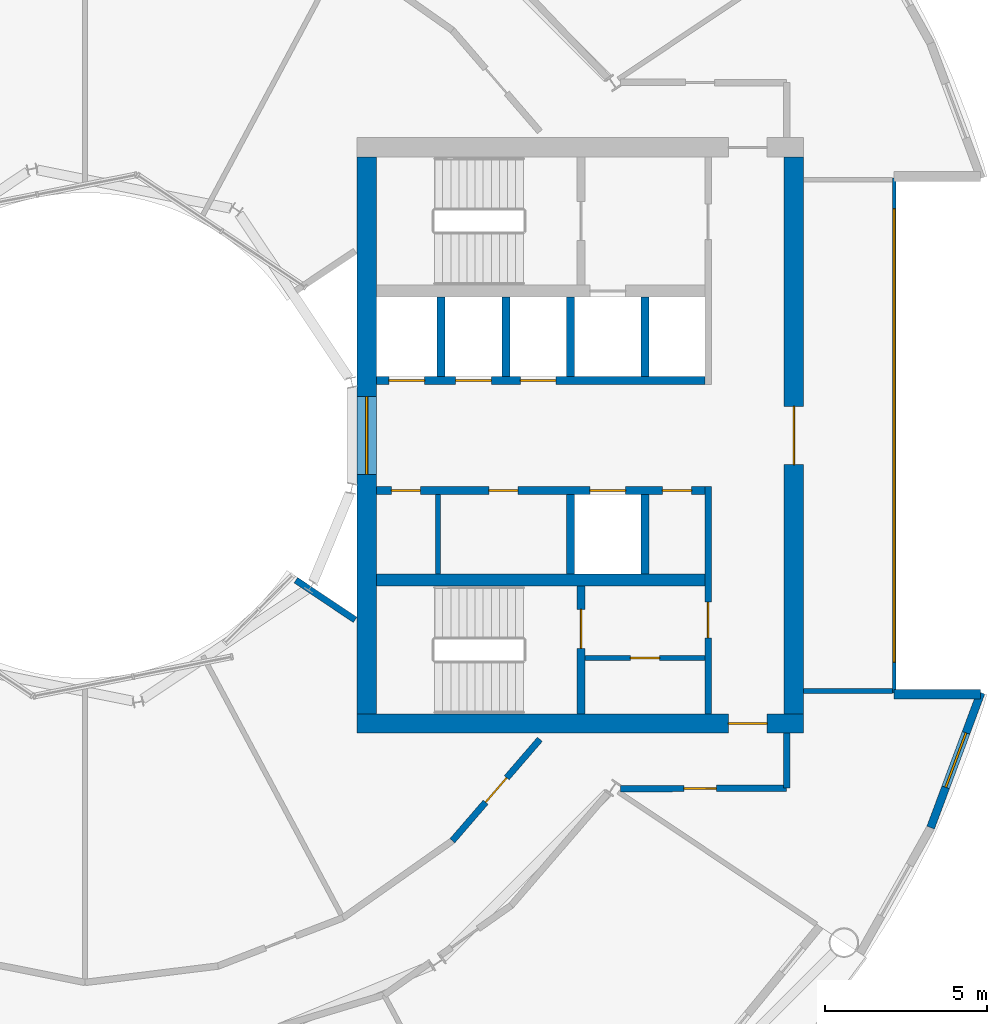
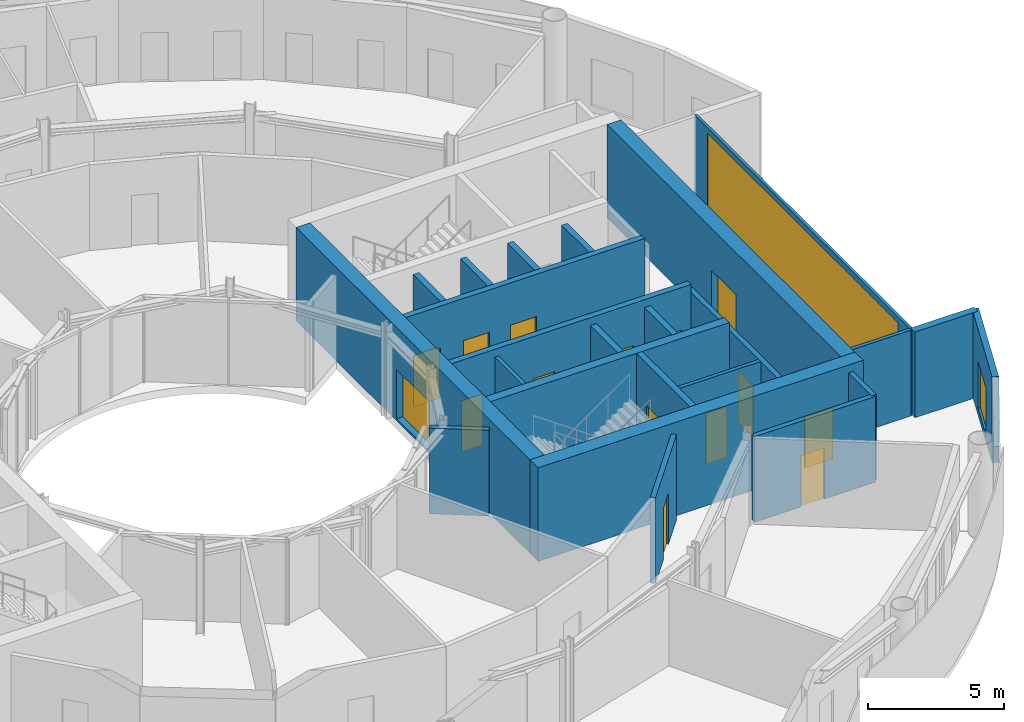
# One storey, part 15 of 21: 24 walls, 14 doors, 3 windows, 17 openings.
"""IFC4 building model written with IfcOpenShell, lengths in metres."""

import ifcopenshell
import ifcopenshell.guid

model = None  # the IFC model being written
_history = None  # IfcOwnerHistory: only IFC2X3 demands one
_inside = {}  # id of a spatial element -> (the spatial element, [elements in it])
_under = {}  # id of a project, library or spatial element -> (it, [spatial elements below it])
_declared = {}  # id of a project -> (the project, [libraries it declares])
_typed = {}  # id of a type object -> (the type object, [elements of that type])
_made_of = {}  # id of a material, layer set ... -> (it, [elements and type objects made of it])


def new_model(schema):
    """Start an empty IFC model of exactly this schema.

    Asked for "IFC4X3", IfcOpenShell would pick the latest addendum, in which some entities
    have other attributes; the version numbers below select the first issue.
    IFC2X3 requires an IfcOwnerHistory on every rooted entity: one is made here for all.
    """
    global model, _history
    if schema == "IFC4X3":
        model = ifcopenshell.file(schema_version=(4, 3, 0, 0))
    else:
        model = ifcopenshell.file(schema=schema)
    _inside.clear()
    _under.clear()
    _declared.clear()
    _typed.clear()
    _made_of.clear()
    _history = None
    if model.schema == "IFC2X3":
        org = make("IfcOrganization", Name="unknown")
        user = make(
            "IfcPersonAndOrganization",
            ThePerson=make("IfcPerson", FamilyName="unknown"),
            TheOrganization=org,
        )
        app = make(
            "IfcApplication",
            ApplicationDeveloper=org,
            Version="unknown",
            ApplicationFullName="unknown",
            ApplicationIdentifier="unknown",
        )
        _history = make(
            "IfcOwnerHistory",
            OwningUser=user,
            OwningApplication=app,
            ChangeAction="ADDED",
            CreationDate=0,
        )
    return model


def make(cls, **values):
    """One entity of the class cls with the attributes given. An attribute that is None is left unset."""
    return model.create_entity(
        cls, **{name: value for name, value in values.items() if value is not None}
    )


def rooted(cls, **values):
    """An entity with a GlobalId (a new one), such as an element, a storey or a relation."""
    return make(cls, GlobalId=ifcopenshell.guid.new(), OwnerHistory=_history, **values)


def si_unit(unit_type, name, prefix=None):
    """IfcSIUnit, for example si_unit("LENGTHUNIT", "METRE", prefix="MILLI")."""
    return make("IfcSIUnit", UnitType=unit_type, Prefix=prefix, Name=name)


def assignment(units):
    """IfcUnitAssignment: the units of a project."""
    return None if units is None else make("IfcUnitAssignment", Units=units)


def point(xyz):
    """IfcCartesianPoint."""
    return None if xyz is None else make("IfcCartesianPoint", Coordinates=xyz)


def direction(xyz):
    """IfcDirection."""
    return None if xyz is None else make("IfcDirection", DirectionRatios=xyz)


def frame(location, z_axis=None, x_axis=None):
    """IfcAxis2Placement3D, a coordinate frame: its origin and axes. An axis left out is left unset."""
    return make(
        "IfcAxis2Placement3D",
        Location=point(location),
        Axis=direction(z_axis),
        RefDirection=direction(x_axis),
    )


def frame_2d(location, x_axis=None):
    """IfcAxis2Placement2D, a coordinate frame in the plane: its origin and x axis."""
    return make(
        "IfcAxis2Placement2D", Location=point(location), RefDirection=direction(x_axis)
    )


def origin():
    """The frame at (0, 0, 0) with its axes left unset."""
    return frame((0.0, 0.0, 0.0))


def place(relative_to, where):
    """IfcLocalPlacement: puts the frame where relative to a parent placement (None: the world)."""
    return make(
        "IfcLocalPlacement", PlacementRelTo=relative_to, RelativePlacement=where
    )


def context(
    kind, dimensions, precision=None, world=None, true_north=None, identifier=None
):
    """IfcGeometricRepresentationContext, for example the 3D "Model" context."""
    return make(
        "IfcGeometricRepresentationContext",
        ContextIdentifier=identifier,
        ContextType=kind,
        CoordinateSpaceDimension=dimensions,
        Precision=precision,
        WorldCoordinateSystem=world,
        TrueNorth=true_north,
    )


def subcontext(parent, identifier, kind, view, scale=None):
    """IfcGeometricRepresentationSubContext, for example "Body" below "Model"."""
    return make(
        "IfcGeometricRepresentationSubContext",
        ContextIdentifier=identifier,
        ContextType=kind,
        ParentContext=parent,
        TargetScale=scale,
        TargetView=view,
    )


def project(units=None, contexts=None):
    """IfcProject with its units and contexts."""
    return rooted(
        "IfcProject",
        Name="project",
        RepresentationContexts=contexts,
        UnitsInContext=assignment(units),
    )


def spatial(cls, under=None, at=None, **own):
    """A site, building, storey or space (cls), placed at a placement, below another one or the project."""
    s = rooted(cls, ObjectPlacement=at, **own)
    if under is not None:
        _under.setdefault(under.id(), (under, []))[1].append(s)
    return s


def profile(cls, at=None, kind="AREA", **sizes):
    """A parametric profile (cls). Its sizes go by their IFC names, for example OverallWidth=200.0."""
    return make(cls, ProfileType=kind, Position=at, **sizes)


def rectangle(**sizes):
    """IfcRectangleProfileDef."""
    return profile("IfcRectangleProfileDef", **sizes)


def extrude(swept, where, along, depth):
    """IfcExtrudedAreaSolid: the profile swept, set in the frame where, extruded along a direction by depth."""
    return make(
        "IfcExtrudedAreaSolid",
        SweptArea=swept,
        Position=where,
        ExtrudedDirection=direction(along),
        Depth=depth,
    )


def shape(context_of_items, identifier, shape_type, items):
    """IfcShapeRepresentation: the items that make up one representation, for example the "Body"."""
    return make(
        "IfcShapeRepresentation",
        ContextOfItems=context_of_items,
        RepresentationIdentifier=identifier,
        RepresentationType=shape_type,
        Items=items,
    )


def material(Name=None, Category=None):
    """IfcMaterial."""
    return make("IfcMaterial", Name=Name, Category=Category)


def layer(
    of_material, thickness, ventilated=None, Name=None, Category=None, Priority=None
):
    """IfcMaterialLayer: one layer of a wall or slab, of a material (None: an air gap)."""
    return make(
        "IfcMaterialLayer",
        Material=of_material,
        LayerThickness=thickness,
        IsVentilated=ventilated,
        Name=Name,
        Category=Category,
        Priority=Priority,
    )


def layer_set(layers, Name=None):
    """IfcMaterialLayerSet."""
    return make("IfcMaterialLayerSet", MaterialLayers=layers, LayerSetName=Name)


def made_of(thing, what):
    """Note that an element or type object is made of a material, layer set ...; save() writes the relation."""
    if what is not None:
        _made_of.setdefault(what.id(), (what, []))[1].append(thing)
    return thing


def type_object(cls, material=None, **own):
    """A type object (cls), such as IfcWallType, which elements share."""
    return made_of(rooted(cls, **own), material)


def element(
    cls,
    number,
    at=None,
    inside=None,
    cuts=None,
    type_object=None,
    material=None,
    context=None,
    identifier="Body",
    shape_type=None,
    held_by="IfcProductDefinitionShape",
    body=None,
    shapes=None,
    **own,
):
    """One element of the class cls, such as IfcWall. Its Tag is "e" and its number.

    at: its placement. inside: the storey or other place that contains it. cuts: it is an
    opening in that element (IfcRelVoidsElement). A single representation is given by context,
    identifier, shape_type and body (its items); several are given by shapes. held_by: the class
    of the entity that holds the representations. save() writes the other relations.
    """
    e = rooted(cls, Tag="e%d" % number, ObjectPlacement=at, **own)
    if body is not None:
        shapes = [shape(context, identifier, shape_type, body)]
    if shapes is not None:
        e.Representation = make(held_by, Representations=shapes)
    if inside is not None:
        _inside.setdefault(inside.id(), (inside, []))[1].append(e)
    if cuts is not None:
        rooted(
            "IfcRelVoidsElement", RelatingBuildingElement=cuts, RelatedOpeningElement=e
        )
    if type_object is not None:
        _typed.setdefault(type_object.id(), (type_object, []))[1].append(e)
    return made_of(e, material)


def fill(opening, filler):
    """IfcRelFillsElement: the door or window that sits in an opening."""
    return rooted(
        "IfcRelFillsElement",
        RelatingOpeningElement=opening,
        RelatedBuildingElement=filler,
    )


def aggregate(whole, parts):
    """IfcRelAggregates: a whole, such as a stair, and the parts it consists of."""
    return rooted("IfcRelAggregates", RelatingObject=whole, RelatedObjects=parts)


def save(model, path):
    """Write the relations noted so far, then the file.

    IfcRelAggregates (storeys below a building ...), IfcRelContainedInSpatialStructure (elements
    in a storey), IfcRelDefinesByType, IfcRelAssociatesMaterial and IfcRelDeclares: one each for
    every whole, place, type object, material and project.
    """
    for whole, parts in _under.values():
        aggregate(whole, parts)
    for where, things in _inside.values():
        rooted(
            "IfcRelContainedInSpatialStructure",
            RelatedElements=things,
            RelatingStructure=where,
        )
    for kind, things in _typed.values():
        rooted("IfcRelDefinesByType", RelatedObjects=things, RelatingType=kind)
    for what, things in _made_of.values():
        rooted("IfcRelAssociatesMaterial", RelatedObjects=things, RelatingMaterial=what)
    for by, libraries in _declared.values():
        rooted("IfcRelDeclares", RelatingContext=by, RelatedDefinitions=libraries)
    model.write(path)


model = new_model("IFC4")

# Units and contexts
model_context = context("Model", 3, precision=1e-05, world=origin(), true_north=direction((0.0, 1.0)))
body_context = subcontext(model_context, "Body", "Model", "MODEL_VIEW")
ifc_project = project(units=[si_unit("LENGTHUNIT", "METRE"), si_unit("AREAUNIT", "SQUARE_METRE"), si_unit("VOLUMEUNIT", "CUBIC_METRE"), si_unit("PLANEANGLEUNIT", "RADIAN"), si_unit("MASSUNIT", "GRAM", prefix="KILO")], contexts=[model_context])

# Site, building, storey
site_placement = place(None, origin())
site = spatial("IfcSite", under=ifc_project, at=site_placement, CompositionType="ELEMENT")
building_placement = place(site_placement, origin())
building = spatial("IfcBuilding", under=site, at=building_placement, Name="Maasbend Ring Residences", CompositionType="ELEMENT")
storey_placement = place(building_placement, frame((0.0, 0.0, 107.449951171875)))
storey = spatial("IfcBuildingStorey", under=building, at=storey_placement, Name="L30", CompositionType="ELEMENT", Elevation=107.449951171875)

# Wall, openings, doors
ifc_material_1 = material(Name="Concrete C60/75", Category="concrete")
ifc_layer_1 = layer(ifc_material_1, 0.25)
ifc_layer_set_1 = layer_set([ifc_layer_1], Name="Concrete C60/75")
wall_type_1 = type_object("IfcWallType", Name="CORE WALL 250 C60/75", PredefinedType="SHEAR", material=ifc_layer_set_1)
wall_1_placement = place(storey_placement, frame((9.0, 1.699951171875, 0.0), z_axis=(0.0, 0.0, 1.0), x_axis=(1.0, 0.0, 0.0)))
wall_1 = element("IfcWall", 1, at=wall_1_placement, inside=storey, type_object=wall_type_1, Name="L30 core E wall SPN", PredefinedType="SHEAR", context=body_context, shape_type="SweptSolid", body=[
    extrude(rectangle(XDim=10.14990234375, YDim=0.25, at=frame_2d((5.074951171875, 0.0))), origin(), (0.0, 0.0, 1.0), 4.199951171875),
])
opening_1_placement = place(wall_1_placement, frame((0.387451171875, 0.0, 0.0)))
opening_1 = element("IfcOpeningElement", 2, at=opening_1_placement, cuts=wall_1, Name="Opening LD-E3001", PredefinedType="OPENING", context=body_context, shape_type="SweptSolid", body=[
    extrude(rectangle(XDim=1.10009765625, YDim=2.300048828125, at=frame_2d((0.550048828125, 1.14990234375))), frame((0.0, 0.135009765625, 0.0), z_axis=(0.0, -1.0, 0.0), x_axis=(1.0, 0.0, 0.0)), (0.0, 0.0, 1.0), 0.27001953125),
])
opening_2_placement = place(wall_1_placement, frame((2.449951171875, 0.0, 0.0)))
opening_2 = element("IfcOpeningElement", 3, at=opening_2_placement, cuts=wall_1, Name="Opening LD-E3002", PredefinedType="OPENING", context=body_context, shape_type="SweptSolid", body=[
    extrude(rectangle(XDim=1.10009765625, YDim=2.300048828125, at=frame_2d((0.550048828125, 1.14990234375))), frame((0.0, 0.135009765625, 0.0), z_axis=(0.0, -1.0, 0.0), x_axis=(1.0, 0.0, 0.0)), (0.0, 0.0, 1.0), 0.27001953125),
])
opening_3_placement = place(wall_1_placement, frame((4.449951171875, 0.0, 0.0)))
opening_3 = element("IfcOpeningElement", 4, at=opening_3_placement, cuts=wall_1, Name="Opening LD-E3003", PredefinedType="OPENING", context=body_context, shape_type="SweptSolid", body=[
    extrude(rectangle(XDim=1.10009765625, YDim=2.300048828125, at=frame_2d((0.550048828125, 1.14990234375))), frame((0.0, 0.135009765625, 0.0), z_axis=(0.0, -1.0, 0.0), x_axis=(1.0, 0.0, 0.0)), (0.0, 0.0, 1.0), 0.27001953125),
])
ifc_material_2 = material(Name="Stainless steel 316", Category="steel")
door_type_1 = type_object("IfcDoorType", Name="LANDING DOOR 1100 X 2300 FD60", OperationType="DOUBLE_DOOR_SLIDING", PredefinedType="DOOR", material=ifc_material_2)
door_1_placement = place(opening_1_placement, origin())
door_1 = element("IfcDoor", 5, at=door_1_placement, inside=storey, type_object=door_type_1, Name="Landing door LR-E1 L30", OperationType="DOUBLE_DOOR_SLIDING", OverallHeight=2.300048828125, OverallWidth=1.10009765625, PredefinedType="DOOR", context=body_context, shape_type="SweptSolid", body=[
    extrude(rectangle(XDim=1.10009765625, YDim=2.300048828125, at=frame_2d((0.550048828125, 1.14990234375))), frame((0.0, 0.02490234375, 0.0), z_axis=(0.0, -1.0, 0.0), x_axis=(1.0, 0.0, 0.0)), (0.0, 0.0, 1.0), 0.050048828125),
])
fill(opening_1, door_1)
door_2_placement = place(opening_2_placement, origin())
door_2 = element("IfcDoor", 6, at=door_2_placement, inside=storey, type_object=door_type_1, Name="Landing door LR-E2 L30", OperationType="DOUBLE_DOOR_SLIDING", OverallHeight=2.300048828125, OverallWidth=1.10009765625, PredefinedType="DOOR", context=body_context, shape_type="SweptSolid", body=[
    extrude(rectangle(XDim=1.10009765625, YDim=2.300048828125, at=frame_2d((0.550048828125, 1.14990234375))), frame((0.0, 0.02490234375, 0.0), z_axis=(0.0, -1.0, 0.0), x_axis=(1.0, 0.0, 0.0)), (0.0, 0.0, 1.0), 0.050048828125),
])
fill(opening_2, door_2)
door_3_placement = place(opening_3_placement, origin())
door_3 = element("IfcDoor", 7, at=door_3_placement, inside=storey, type_object=door_type_1, Name="Landing door LR-E3 L30", OperationType="DOUBLE_DOOR_SLIDING", OverallHeight=2.300048828125, OverallWidth=1.10009765625, PredefinedType="DOOR", context=body_context, shape_type="SweptSolid", body=[
    extrude(rectangle(XDim=1.10009765625, YDim=2.300048828125, at=frame_2d((0.550048828125, 1.14990234375))), frame((0.0, 0.02490234375, 0.0), z_axis=(0.0, -1.0, 0.0), x_axis=(1.0, 0.0, 0.0)), (0.0, 0.0, 1.0), 0.050048828125),
])
fill(opening_3, door_3)

wall_2_placement = place(storey_placement, frame((19.14990234375, -1.699951171875, 0.0), z_axis=(0.0, 0.0, 1.0), x_axis=(-1.0, 0.0, 0.0)))
wall_2 = element("IfcWall", 8, at=wall_2_placement, inside=storey, type_object=wall_type_1, Name="L30 core E wall SPS", PredefinedType="SHEAR", context=body_context, shape_type="SweptSolid", body=[
    extrude(rectangle(XDim=10.14990234375, YDim=0.25, at=frame_2d((5.074951171875, 0.0))), origin(), (0.0, 0.0, 1.0), 4.199951171875),
])
opening_4_placement = place(wall_2_placement, frame((2.449951171875, 0.0, 0.0)))
opening_4 = element("IfcOpeningElement", 9, at=opening_4_placement, cuts=wall_2, Name="Opening LD-E3005", PredefinedType="OPENING", context=body_context, shape_type="SweptSolid", body=[
    extrude(rectangle(XDim=1.10009765625, YDim=2.300048828125, at=frame_2d((0.550048828125, 1.14990234375))), frame((0.0, 0.135009765625, 0.0), z_axis=(0.0, -1.0, 0.0), x_axis=(1.0, 0.0, 0.0)), (0.0, 0.0, 1.0), 0.27001953125),
])
opening_5_placement = place(wall_2_placement, frame((8.78759765625, 0.0, 0.0)))
opening_5 = element("IfcOpeningElement", 10, at=opening_5_placement, cuts=wall_2, Name="Opening D-E3006", PredefinedType="OPENING", context=body_context, shape_type="SweptSolid", body=[
    extrude(rectangle(XDim=0.89990234375, YDim=2.300048828125, at=frame_2d((0.449951171875, 1.14990234375))), frame((0.0, 0.135009765625, 0.0), z_axis=(0.0, -1.0, 0.0), x_axis=(1.0, 0.0, 0.0)), (0.0, 0.0, 1.0), 0.27001953125),
])
opening_6_placement = place(wall_2_placement, frame((5.77490234375, 0.0, 0.0)))
opening_6 = element("IfcOpeningElement", 11, at=opening_6_placement, cuts=wall_2, Name="Opening D-E3007", PredefinedType="OPENING", context=body_context, shape_type="SweptSolid", body=[
    extrude(rectangle(XDim=0.89990234375, YDim=2.300048828125, at=frame_2d((0.449951171875, 1.14990234375))), frame((0.0, 0.135009765625, 0.0), z_axis=(0.0, -1.0, 0.0), x_axis=(1.0, 0.0, 0.0)), (0.0, 0.0, 1.0), 0.27001953125),
])
opening_7_placement = place(wall_2_placement, frame((0.41259765625, 0.0, 0.0)))
opening_7 = element("IfcOpeningElement", 12, at=opening_7_placement, cuts=wall_2, Name="Opening D-E3008", PredefinedType="OPENING", context=body_context, shape_type="SweptSolid", body=[
    extrude(rectangle(XDim=0.89990234375, YDim=2.300048828125, at=frame_2d((0.449951171875, 1.14990234375))), frame((0.0, 0.135009765625, 0.0), z_axis=(0.0, -1.0, 0.0), x_axis=(1.0, 0.0, 0.0)), (0.0, 0.0, 1.0), 0.27001953125),
])
door_4_placement = place(opening_4_placement, origin())
door_4 = element("IfcDoor", 13, at=door_4_placement, inside=storey, type_object=door_type_1, Name="Landing door SV-E L30", OperationType="DOUBLE_DOOR_SLIDING", OverallHeight=2.300048828125, OverallWidth=1.10009765625, PredefinedType="DOOR", context=body_context, shape_type="SweptSolid", body=[
    extrude(rectangle(XDim=1.10009765625, YDim=2.300048828125, at=frame_2d((0.550048828125, 1.14990234375))), frame((0.0, 0.02490234375, 0.0), z_axis=(0.0, -1.0, 0.0), x_axis=(1.0, 0.0, 0.0)), (0.0, 0.0, 1.0), 0.050048828125),
])
fill(opening_4, door_4)
ifc_material_3 = material(Name="Steel, powder coated", Category="steel")
door_type_2 = type_object("IfcDoorType", Name="ROOM DOOR 900 X 2300 FD30S", OperationType="NOTDEFINED", PredefinedType="DOOR", material=ifc_material_3)
door_5_placement = place(opening_5_placement, origin())
door_5 = element("IfcDoor", 14, at=door_5_placement, inside=storey, type_object=door_type_2, Name="Room door L30", OperationType="SINGLE_SWING_LEFT", OverallHeight=2.300048828125, OverallWidth=0.89990234375, PredefinedType="DOOR", context=body_context, shape_type="SweptSolid", body=[
    extrude(rectangle(XDim=0.89990234375, YDim=2.300048828125, at=frame_2d((0.449951171875, 1.14990234375))), frame((0.0, 0.02490234375, 0.0), z_axis=(0.0, -1.0, 0.0), x_axis=(1.0, 0.0, 0.0)), (0.0, 0.0, 1.0), 0.050048828125),
])
fill(opening_5, door_5)
door_6_placement = place(opening_6_placement, origin())
door_6 = element("IfcDoor", 15, at=door_6_placement, inside=storey, type_object=door_type_2, Name="Room door L30", OperationType="SINGLE_SWING_LEFT", OverallHeight=2.300048828125, OverallWidth=0.89990234375, PredefinedType="DOOR", context=body_context, shape_type="SweptSolid", body=[
    extrude(rectangle(XDim=0.89990234375, YDim=2.300048828125, at=frame_2d((0.449951171875, 1.14990234375))), frame((0.0, 0.02490234375, 0.0), z_axis=(0.0, -1.0, 0.0), x_axis=(1.0, 0.0, 0.0)), (0.0, 0.0, 1.0), 0.050048828125),
])
fill(opening_6, door_6)
door_7_placement = place(opening_7_placement, origin())
door_7 = element("IfcDoor", 16, at=door_7_placement, inside=storey, type_object=door_type_2, Name="Room door L30", OperationType="SINGLE_SWING_RIGHT", OverallHeight=2.300048828125, OverallWidth=0.89990234375, PredefinedType="DOOR", context=body_context, shape_type="SweptSolid", body=[
    extrude(rectangle(XDim=0.89990234375, YDim=2.300048828125, at=frame_2d((0.449951171875, 1.14990234375))), frame((0.0, 0.02490234375, 0.0), z_axis=(0.0, -1.0, 0.0), x_axis=(1.0, 0.0, 0.0)), (0.0, 0.0, 1.0), 0.050048828125),
])
fill(opening_7, door_7)

# Wall, opening, door
wall_3_placement = place(storey_placement, frame((15.324951171875, -8.60009765625, 0.0), z_axis=(0.0, 0.0, 1.0), x_axis=(0.0, 1.0, 0.0)))
wall_3 = element("IfcWall", 17, at=wall_3_placement, inside=storey, type_object=wall_type_1, Name="L30 core E wall STES", PredefinedType="SHEAR", context=body_context, shape_type="SweptSolid", body=[
    extrude(rectangle(XDim=3.9501953125, YDim=0.25, at=frame_2d((1.97509765625, 0.0))), origin(), (0.0, 0.0, 1.0), 4.199951171875),
])
opening_8_placement = place(wall_3_placement, frame((2.02490234375, 0.0, 0.0)))
opening_8 = element("IfcOpeningElement", 18, at=opening_8_placement, cuts=wall_3, Name="Opening D-E3011", PredefinedType="OPENING", context=body_context, shape_type="SweptSolid", body=[
    extrude(rectangle(XDim=1.199951171875, YDim=2.300048828125, at=frame_2d((0.60009765625, 1.14990234375))), frame((0.0, 0.135009765625, 0.0), z_axis=(0.0, -1.0, 0.0), x_axis=(1.0, 0.0, 0.0)), (0.0, 0.0, 1.0), 0.27001953125),
])
ifc_material_4 = material(Name="Steel, powder coated", Category="steel")
door_type_3 = type_object("IfcDoorType", Name="STAIR DOOR 1200 X 2300 FD60", OperationType="NOTDEFINED", PredefinedType="DOOR", material=ifc_material_4)
door_8_placement = place(opening_8_placement, origin())
door_8 = element("IfcDoor", 19, at=door_8_placement, inside=storey, type_object=door_type_3, Name="Stair door ST-E L30", OperationType="SINGLE_SWING_LEFT", OverallHeight=2.300048828125, OverallWidth=1.199951171875, PredefinedType="DOOR", context=body_context, shape_type="SweptSolid", body=[
    extrude(rectangle(XDim=1.199951171875, YDim=2.300048828125, at=frame_2d((0.60009765625, 1.14990234375))), frame((0.0, 0.02490234375, 0.0), z_axis=(0.0, -1.0, 0.0), x_axis=(1.0, 0.0, 0.0)), (0.0, 0.0, 1.0), 0.050048828125),
])
fill(opening_8, door_8)

# Wall
ifc_material_5 = material(Name="Concrete C60/75", Category="concrete")
ifc_layer_2 = layer(ifc_material_5, 0.375)
ifc_layer_set_2 = layer_set([ifc_layer_2], Name="Concrete C60/75")
wall_type_2 = type_object("IfcWallType", Name="CORE WALL 375 C60/75", PredefinedType="SHEAR", material=ifc_layer_set_2)
wall_4_placement = place(storey_placement, frame((9.0, -4.46240234375, 0.0), z_axis=(0.0, 0.0, 1.0), x_axis=(1.0, 0.0, 0.0)))
element("IfcWall", 20, at=wall_4_placement, inside=storey, type_object=wall_type_2, Name="L30 core E wall BS", PredefinedType="SHEAR", context=body_context, shape_type="SweptSolid", body=[
    extrude(rectangle(XDim=10.14990234375, YDim=0.375, at=frame_2d((5.074951171875, 0.0))), origin(), (0.0, 0.0, 1.0), 4.199951171875),
])

# Wall, opening, door
ifc_material_6 = material(Name="Concrete C60/75", Category="concrete")
ifc_layer_3 = layer(ifc_material_6, 0.60009765625)
ifc_layer_set_3 = layer_set([ifc_layer_3], Name="Concrete C60/75")
wall_type_3 = type_object("IfcWallType", Name="CORE WALL 600 C60/75", PredefinedType="SHEAR", material=ifc_layer_set_3)
wall_5_placement = place(storey_placement, frame((8.39990234375, -8.89990234375, 0.0), z_axis=(0.0, 0.0, 1.0), x_axis=(1.0, 0.0, 0.0)))
wall_5 = element("IfcWall", 21, at=wall_5_placement, inside=storey, type_object=wall_type_3, Name="L30 core E wall PS", PredefinedType="SHEAR", context=body_context, shape_type="SweptSolid", body=[
    extrude(rectangle(XDim=13.800048828125, YDim=0.60009765625, at=frame_2d((6.89990234375, 0.0))), origin(), (0.0, 0.0, 1.0), 4.199951171875),
])
opening_9_placement = place(wall_5_placement, frame((11.47509765625, 0.0, 0.0)))
opening_9 = element("IfcOpeningElement", 22, at=opening_9_placement, cuts=wall_5, Name="Opening D-E3015", PredefinedType="OPENING", context=body_context, shape_type="SweptSolid", body=[
    extrude(rectangle(XDim=1.199951171875, YDim=2.300048828125, at=frame_2d((0.60009765625, 1.14990234375))), frame((0.0, 0.31005859375, 0.0), z_axis=(0.0, -1.0, 0.0), x_axis=(1.0, 0.0, 0.0)), (0.0, 0.0, 1.0), 0.6201171875),
])
ifc_material_7 = material(Name="Steel, powder coated", Category="steel")
door_type_4 = type_object("IfcDoorType", Name="CORRIDOR DOOR 1200 X 2300 FD30S", OperationType="NOTDEFINED", PredefinedType="DOOR", material=ifc_material_7)
door_9_placement = place(opening_9_placement, origin())
door_9 = element("IfcDoor", 23, at=door_9_placement, inside=storey, type_object=door_type_4, Name="Corridor door L30", OperationType="SINGLE_SWING_LEFT", OverallHeight=2.300048828125, OverallWidth=1.199951171875, PredefinedType="DOOR", context=body_context, shape_type="SweptSolid", body=[
    extrude(rectangle(XDim=1.199951171875, YDim=2.300048828125, at=frame_2d((0.60009765625, 1.14990234375))), frame((0.0, 0.02490234375, 0.0), z_axis=(0.0, -1.0, 0.0), x_axis=(1.0, 0.0, 0.0)), (0.0, 0.0, 1.0), 0.050048828125),
])
fill(opening_9, door_9)

wall_6_placement = place(storey_placement, frame((21.89990234375, 8.60009765625, 0.0), z_axis=(0.0, 0.0, 1.0), x_axis=(0.0, -1.0, 0.0)))
wall_6 = element("IfcWall", 24, at=wall_6_placement, inside=storey, type_object=wall_type_3, Name="L30 core E wall POUT", PredefinedType="SHEAR", context=body_context, shape_type="SweptSolid", body=[
    extrude(rectangle(XDim=17.2001953125, YDim=0.60009765625, at=frame_2d((8.60009765625, 0.0))), origin(), (0.0, 0.0, 1.0), 4.199951171875),
])
opening_10_placement = place(wall_6_placement, frame((7.699951171875, 0.0, 0.0)))
opening_10 = element("IfcOpeningElement", 25, at=opening_10_placement, cuts=wall_6, Name="Opening D-E3016", PredefinedType="OPENING", context=body_context, shape_type="SweptSolid", body=[
    extrude(rectangle(XDim=1.800048828125, YDim=2.300048828125, at=frame_2d((0.89990234375, 1.14990234375))), frame((0.0, 0.31005859375, 0.0), z_axis=(0.0, -1.0, 0.0), x_axis=(1.0, 0.0, 0.0)), (0.0, 0.0, 1.0), 0.6201171875),
])
ifc_material_8 = material(Name="Aluminium frame, clear glass", Category="aluminium")
door_type_5 = type_object("IfcDoorType", Name="ENTRANCE DOOR 1800 X 2300 FD60", OperationType="NOTDEFINED", PredefinedType="DOOR", material=ifc_material_8)
door_10_placement = place(opening_10_placement, origin())
door_10 = element("IfcDoor", 26, at=door_10_placement, inside=storey, type_object=door_type_5, Name="Lobby glazed door L30", OperationType="SINGLE_SWING_LEFT", OverallHeight=2.300048828125, OverallWidth=1.800048828125, PredefinedType="DOOR", context=body_context, shape_type="SweptSolid", body=[
    extrude(rectangle(XDim=1.800048828125, YDim=2.300048828125, at=frame_2d((0.89990234375, 1.14990234375))), frame((0.0, 0.02490234375, 0.0), z_axis=(0.0, -1.0, 0.0), x_axis=(1.0, 0.0, 0.0)), (0.0, 0.0, 1.0), 0.050048828125),
])
fill(opening_10, door_10)

# Wall, opening, window
wall_7_placement = place(storey_placement, frame((8.699951171875, -8.60009765625, 0.0), z_axis=(0.0, 0.0, 1.0), x_axis=(0.0, 1.0, 0.0)))
wall_7 = element("IfcWall", 27, at=wall_7_placement, inside=storey, type_object=wall_type_3, Name="L30 core E wall PIN", PredefinedType="SHEAR", context=body_context, shape_type="SweptSolid", body=[
    extrude(rectangle(XDim=17.2001953125, YDim=0.60009765625, at=frame_2d((8.60009765625, 0.0))), origin(), (0.0, 0.0, 1.0), 4.199951171875),
])
opening_11_placement = place(wall_7_placement, frame((7.39990234375, 0.0, 0.10009765625)))
opening_11 = element("IfcOpeningElement", 28, at=opening_11_placement, cuts=wall_7, Name="Opening W-E3001", PredefinedType="OPENING", context=body_context, shape_type="SweptSolid", body=[
    extrude(rectangle(XDim=2.39990234375, YDim=2.199951171875, at=frame_2d((1.199951171875, 1.10009765625))), frame((0.0, 0.31005859375, 0.0), z_axis=(0.0, -1.0, 0.0), x_axis=(1.0, 0.0, 0.0)), (0.0, 0.0, 1.0), 0.6201171875),
])
ifc_material_9 = material(Name="Aluminium frame and clear glass", Category="aluminium")
window_type_1 = type_object("IfcWindowType", Name="FIXED WINDOW 2400 X 2200", PartitioningType="SINGLE_PANEL", PredefinedType="WINDOW", material=ifc_material_9)
window_1_placement = place(opening_11_placement, origin())
window_1 = element("IfcWindow", 29, at=window_1_placement, inside=storey, type_object=window_type_1, Name="Lobby window L30", OverallHeight=2.199951171875, OverallWidth=2.39990234375, PartitioningType="SINGLE_PANEL", PredefinedType="WINDOW", context=body_context, shape_type="SweptSolid", body=[
    extrude(rectangle(XDim=2.39990234375, YDim=2.199951171875, at=frame_2d((1.199951171875, 1.10009765625))), frame((0.0, 0.030029296875, 0.0), z_axis=(0.0, -1.0, 0.0), x_axis=(1.0, 0.0, 0.0)), (0.0, 0.0, 1.0), 0.06005859375),
])
fill(opening_11, window_1)

# Wall
ifc_material_10 = material(Name="Concrete C30/37", Category="concrete")
ifc_layer_4 = layer(ifc_material_10, 0.199951171875)
ifc_layer_set_4 = layer_set([ifc_layer_4], Name="Concrete C30/37")
wall_type_4 = type_object("IfcWallType", Name="CORRIDOR WALL 200 CONCRETE", PredefinedType="PARTITIONING", material=ifc_layer_set_4)
wall_8_placement = place(storey_placement, frame((21.675048828125, -10.89990234375, 0.0), z_axis=(0.0, 0.0, 1.0), x_axis=(0.0, 1.0, 0.0)))
element("IfcWall", 30, at=wall_8_placement, inside=storey, type_object=wall_type_4, Name="U-L30-w002", PredefinedType="PARTITIONING", context=body_context, shape_type="SweptSolid", body=[
    extrude(rectangle(XDim=1.699951171875, YDim=0.199951171875, at=frame_2d((0.85009765625, 0.0))), origin(), (0.0, 0.0, 1.0), 3.85009765625),
])

# Wall, opening, door
wall_9_placement = place(storey_placement, frame((11.34912109375, -12.52197265625, 0.0), z_axis=(0.0, 0.0, 1.0), x_axis=(0.653212695939, 0.757174467256, 0.0)))
wall_9 = element("IfcWall", 31, at=wall_9_placement, inside=storey, type_object=wall_type_4, Name="U-L30-w014", PredefinedType="PARTITIONING", context=body_context, shape_type="SweptSolid", body=[
    extrude(rectangle(XDim=4.137939453125, YDim=0.199951171875, at=frame_2d((2.06884765625, 0.0))), origin(), (0.0, 0.0, 1.0), 3.85009765625),
])
opening_12_placement = place(wall_9_placement, frame((1.569091796875, 0.0, 0.0)))
opening_12 = element("IfcOpeningElement", 32, at=opening_12_placement, cuts=wall_9, Name="Opening D-3022", PredefinedType="OPENING", context=body_context, shape_type="SweptSolid", body=[
    extrude(rectangle(XDim=1.0, YDim=2.300048828125, at=frame_2d((0.5, 1.14990234375))), frame((0.0, 0.10986328125, 0.0), z_axis=(0.0, -1.0, 0.0), x_axis=(1.0, 0.0, 0.0)), (0.0, 0.0, 1.0), 0.219970703125),
])
ifc_material_11 = material(Name="Timber, painted", Category="wood")
door_type_6 = type_object("IfcDoorType", Name="ROOM DOOR 1000 X 2300", OperationType="NOTDEFINED", PredefinedType="DOOR", material=ifc_material_11)
door_11_placement = place(opening_12_placement, origin())
door_11 = element("IfcDoor", 33, at=door_11_placement, inside=storey, type_object=door_type_6, Name="D-3022", OperationType="SINGLE_SWING_RIGHT", OverallHeight=2.300048828125, OverallWidth=1.0, PredefinedType="DOOR", context=body_context, shape_type="SweptSolid", body=[
    extrude(rectangle(XDim=1.0, YDim=2.300048828125, at=frame_2d((0.5, 1.14990234375))), frame((0.0, 0.02490234375, 0.0), z_axis=(0.0, -1.0, 0.0), x_axis=(1.0, 0.0, 0.0)), (0.0, 0.0, 1.0), 0.050048828125),
])
fill(opening_12, door_11)

wall_10_placement = place(storey_placement, frame((16.541015625, -10.912109375, 0.0), z_axis=(0.0, 0.0, 1.0), x_axis=(0.999997173357, 0.002377662213, 0.0)))
wall_10 = element("IfcWall", 34, at=wall_10_placement, inside=storey, type_object=wall_type_4, Name="U-L30-w019", PredefinedType="PARTITIONING", context=body_context, shape_type="SweptSolid", body=[
    extrude(rectangle(XDim=5.134033203125, YDim=0.199951171875, at=frame_2d((2.56689453125, 0.0))), origin(), (0.0, 0.0, 1.0), 3.85009765625),
])
opening_13_placement = place(wall_10_placement, frame((1.962890625, 0.0, 0.0)))
opening_13 = element("IfcOpeningElement", 35, at=opening_13_placement, cuts=wall_10, Name="Opening D-3025", PredefinedType="OPENING", context=body_context, shape_type="SweptSolid", body=[
    extrude(rectangle(XDim=1.0, YDim=2.300048828125, at=frame_2d((0.5, 1.14990234375))), frame((0.0, 0.10986328125, 0.0), z_axis=(0.0, -1.0, 0.0), x_axis=(1.0, 0.0, 0.0)), (0.0, 0.0, 1.0), 0.219970703125),
])
door_12_placement = place(opening_13_placement, origin())
door_12 = element("IfcDoor", 36, at=door_12_placement, inside=storey, type_object=door_type_6, Name="D-3025", OperationType="SINGLE_SWING_LEFT", OverallHeight=2.300048828125, OverallWidth=1.0, PredefinedType="DOOR", context=body_context, shape_type="SweptSolid", body=[
    extrude(rectangle(XDim=1.0, YDim=2.300048828125, at=frame_2d((0.5, 1.14990234375))), frame((0.0, 0.02490234375, 0.0), z_axis=(0.0, -1.0, 0.0), x_axis=(1.0, 0.0, 0.0)), (0.0, 0.0, 1.0), 0.050048828125),
])
fill(opening_13, door_12)

# Wall, opening, window
ifc_material_12 = material(Name="Aluminium clad insulated panel", Category="aluminium")
ifc_layer_5 = layer(ifc_material_12, 0.25)
ifc_layer_set_5 = layer_set([ifc_layer_5], Name="EW-HORN")
wall_type_5 = type_object("IfcWallType", Name="EW-HORN", PredefinedType="SOLIDWALL", material=ifc_layer_set_5)
wall_11_placement = place(storey_placement, frame((26.126953125, -12.116943359375, 0.0), z_axis=(0.0, 0.0, 1.0), x_axis=(0.349247811493, 0.937030397675, 0.0)))
wall_11 = element("IfcWall", 37, at=wall_11_placement, inside=storey, type_object=wall_type_5, Name="Horn wall 2.2", PredefinedType="SOLIDWALL", context=body_context, shape_type="SweptSolid", body=[
    extrude(rectangle(XDim=4.4521484375, YDim=0.25, at=frame_2d((2.22607421875, 0.0))), origin(), (0.0, 0.0, 1.0), 3.85009765625),
])
opening_14_placement = place(wall_11_placement, frame((1.32666015625, 0.0, 0.300048828125)))
opening_14 = element("IfcOpeningElement", 38, at=opening_14_placement, cuts=wall_11, Name="Opening W-BX", PredefinedType="OPENING", context=body_context, shape_type="SweptSolid", body=[
    extrude(rectangle(XDim=1.800048828125, YDim=2.10009765625, at=frame_2d((0.89990234375, 1.050048828125))), frame((0.0, 0.135009765625, 0.0), z_axis=(0.0, -1.0, 0.0), x_axis=(1.0, 0.0, 0.0)), (0.0, 0.0, 1.0), 0.27001953125),
])
ifc_material_13 = material(Name="Aluminium and clear glass", Category="aluminium")
window_type_2 = type_object("IfcWindowType", Name="W-BX", PartitioningType="DOUBLE_PANEL_VERTICAL", PredefinedType="WINDOW", material=ifc_material_13)
window_2_placement = place(opening_14_placement, origin())
window_2 = element("IfcWindow", 39, at=window_2_placement, inside=storey, type_object=window_type_2, Name="Horn window 2.2", OverallHeight=2.10009765625, OverallWidth=1.800048828125, PartitioningType="SINGLE_PANEL", PredefinedType="WINDOW", context=body_context, shape_type="SweptSolid", body=[
    extrude(rectangle(XDim=1.800048828125, YDim=2.10009765625, at=frame_2d((0.89990234375, 1.050048828125))), frame((0.0, 0.030029296875, 0.0), z_axis=(0.0, -1.0, 0.0), x_axis=(1.0, 0.0, 0.0)), (0.0, 0.0, 1.0), 0.06005859375),
])
fill(opening_14, window_2)

# Wall
ifc_material_14 = material(Name="Aluminium clad insulated panel", Category="aluminium")
ifc_layer_6 = layer(ifc_material_14, 0.300048828125)
ifc_layer_set_6 = layer_set([ifc_layer_6], Name="EW-RET")
wall_type_6 = type_object("IfcWallType", Name="EW-RET", PredefinedType="SOLIDWALL", material=ifc_layer_set_6)
wall_12_placement = place(storey_placement, frame((25.0, -8.0, 0.0), z_axis=(0.0, 0.0, 1.0), x_axis=(1.0, 0.0, 0.0)))
element("IfcWall", 40, at=wall_12_placement, inside=storey, type_object=wall_type_6, Name="Notch return wall east south", PredefinedType="SOLIDWALL", context=body_context, shape_type="SweptSolid", body=[
    extrude(rectangle(XDim=2.6669921875, YDim=0.300048828125, at=frame_2d((1.33349609375, 0.0))), origin(), (0.0, 0.0, 1.0), 3.85009765625),
])

# Wall, opening, window
ifc_material_15 = material(Name="Aluminium frame and clear glass", Category="aluminium")
ifc_layer_7 = layer(ifc_material_15, 0.1201171875)
ifc_layer_set_7 = layer_set([ifc_layer_7], Name="GLAZED SCREEN WALL 120 EI 60")
wall_type_7 = type_object("IfcWallType", Name="GLAZED SCREEN WALL 120 EI 60", PredefinedType="PARTITIONING", material=ifc_layer_set_7)
wall_13_placement = place(storey_placement, frame((25.0, -7.949951171875, 0.0), z_axis=(0.0, 0.0, 1.0), x_axis=(0.0, 1.0, 0.0)))
wall_13 = element("IfcWall", 41, at=wall_13_placement, inside=storey, type_object=wall_type_7, Name="L30 core E wall FACE", PredefinedType="PARTITIONING", context=body_context, shape_type="SweptSolid", body=[
    extrude(rectangle(XDim=15.89990234375, YDim=0.1201171875, at=frame_2d((7.949951171875, 0.0))), origin(), (0.0, 0.0, 1.0), 3.85009765625),
])
opening_15_placement = place(wall_13_placement, frame((0.949951171875, 0.0, 0.10009765625)))
opening_15 = element("IfcOpeningElement", 42, at=opening_15_placement, cuts=wall_13, Name="Opening W-E3002", PredefinedType="OPENING", context=body_context, shape_type="SweptSolid", body=[
    extrude(rectangle(XDim=14.0, YDim=3.5, at=frame_2d((7.0, 1.75))), frame((0.0, 0.070068359375, 0.0), z_axis=(0.0, -1.0, 0.0), x_axis=(1.0, 0.0, 0.0)), (0.0, 0.0, 1.0), 0.14013671875),
])
ifc_material_16 = material(Name="Aluminium frame and clear glass", Category="aluminium")
window_type_3 = type_object("IfcWindowType", Name="FIXED WINDOW 14000 X 3500", PartitioningType="SINGLE_PANEL", PredefinedType="WINDOW", material=ifc_material_16)
window_3_placement = place(opening_15_placement, origin())
window_3 = element("IfcWindow", 43, at=window_3_placement, inside=storey, type_object=window_type_3, Name="Lobby window L30", OverallHeight=3.5, OverallWidth=14.0, PartitioningType="SINGLE_PANEL", PredefinedType="WINDOW", context=body_context, shape_type="SweptSolid", body=[
    extrude(rectangle(XDim=14.0, YDim=3.5, at=frame_2d((7.0, 1.75))), frame((0.0, 0.030029296875, 0.0), z_axis=(0.0, -1.0, 0.0), x_axis=(1.0, 0.0, 0.0)), (0.0, 0.0, 1.0), 0.06005859375),
])
fill(opening_15, window_3)

# Wall
ifc_material_17 = material(Name="Gypsum board on steel studs", Category="steel")
ifc_layer_8 = layer(ifc_material_17, 0.14990234375)
ifc_layer_set_8 = layer_set([ifc_layer_8], Name="PARTITION 150 EI 60")
wall_type_8 = type_object("IfcWallType", Name="PARTITION 150 EI 60", PredefinedType="PARTITIONING", material=ifc_layer_set_8)
wall_14_placement = place(storey_placement, frame((10.89990234375, -1.824951171875, 0.0), z_axis=(0.0, 0.0, 1.0), x_axis=(0.0, -1.0, 0.0)))
element("IfcWall", 44, at=wall_14_placement, inside=storey, type_object=wall_type_8, Name="L30 core E wall PRS1090", PredefinedType="PARTITIONING", context=body_context, shape_type="SweptSolid", body=[
    extrude(rectangle(XDim=2.449951171875, YDim=0.14990234375, at=frame_2d((1.22509765625, 0.0))), origin(), (0.0, 0.0, 1.0), 3.85009765625),
])

# Wall, opening, door
wall_15_placement = place(storey_placement, frame((15.449951171875, -6.875, 0.0), z_axis=(0.0, 0.0, 1.0), x_axis=(1.0, 0.0, 0.0)))
wall_15 = element("IfcWall", 45, at=wall_15_placement, inside=storey, type_object=wall_type_8, Name="L30 core E wall RHS", PredefinedType="PARTITIONING", context=body_context, shape_type="SweptSolid", body=[
    extrude(rectangle(XDim=3.699951171875, YDim=0.14990234375, at=frame_2d((1.85009765625, 0.0))), origin(), (0.0, 0.0, 1.0), 3.85009765625),
])
opening_16_placement = place(wall_15_placement, frame((1.39990234375, 0.0, 0.0)))
opening_16 = element("IfcOpeningElement", 46, at=opening_16_placement, cuts=wall_15, Name="Opening D-E3009", PredefinedType="OPENING", context=body_context, shape_type="SweptSolid", body=[
    extrude(rectangle(XDim=0.89990234375, YDim=2.300048828125, at=frame_2d((0.449951171875, 1.14990234375))), frame((0.0, 0.0849609375, 0.0), z_axis=(0.0, -1.0, 0.0), x_axis=(1.0, 0.0, 0.0)), (0.0, 0.0, 1.0), 0.169921875),
])
ifc_material_18 = material(Name="Steel, powder coated", Category="steel")
door_type_7 = type_object("IfcDoorType", Name="RISER DOOR 900 X 2300 FD60", OperationType="NOTDEFINED", PredefinedType="DOOR", material=ifc_material_18)
door_13_placement = place(opening_16_placement, origin())
door_13 = element("IfcDoor", 47, at=door_13_placement, inside=storey, type_object=door_type_7, Name="Riser door L30", OperationType="SINGLE_SWING_LEFT", OverallHeight=2.300048828125, OverallWidth=0.89990234375, PredefinedType="DOOR", context=body_context, shape_type="SweptSolid", body=[
    extrude(rectangle(XDim=0.89990234375, YDim=2.300048828125, at=frame_2d((0.449951171875, 1.14990234375))), frame((0.0, 0.02490234375, 0.0), z_axis=(0.0, -1.0, 0.0), x_axis=(1.0, 0.0, 0.0)), (0.0, 0.0, 1.0), 0.050048828125),
])
fill(opening_16, door_13)

# Walls
wall_16_placement = place(storey_placement, frame((22.199951171875, -7.89990234375, 0.0), z_axis=(0.0, 0.0, 1.0), x_axis=(1.0, 0.0, 0.0)))
element("IfcWall", 48, at=wall_16_placement, inside=storey, type_object=wall_type_8, Name="L30 core E wall CITS", PredefinedType="PARTITIONING", context=body_context, shape_type="SweptSolid", body=[
    extrude(rectangle(XDim=2.739990234375, YDim=0.14990234375, at=frame_2d((1.3701171875, 0.0))), origin(), (0.0, 0.0, 1.0), 3.85009765625),
])
ifc_material_19 = material(Name="Concrete C30/37", Category="concrete")
ifc_layer_9 = layer(ifc_material_19, 0.199951171875)
ifc_layer_set_9 = layer_set([ifc_layer_9], Name="Concrete C30/37")
wall_type_9 = type_object("IfcWallType", Name="PARTY WALL 200 CONCRETE", PredefinedType="PARTITIONING", material=ifc_layer_set_9)
wall_17_placement = place(storey_placement, frame((6.512939453125, -4.471923828125, 0.0), z_axis=(0.0, 0.0, 1.0), x_axis=(0.831333375071, -0.555774072347, 0.0)))
element("IfcWall", 49, at=wall_17_placement, inside=storey, type_object=wall_type_9, Name="U-L30-w021", PredefinedType="PARTITIONING", context=body_context, shape_type="SweptSolid", body=[
    extrude(rectangle(XDim=2.20263671875, YDim=0.199951171875, at=frame_2d((1.101318359375, 0.0))), origin(), (0.0, 0.0, 1.0), 3.85009765625),
])

# Wall, opening, door
ifc_material_20 = material(Name="Concrete C30/37", Category="concrete")
ifc_layer_10 = layer(ifc_material_20, 0.199951171875)
ifc_layer_set_10 = layer_set([ifc_layer_10], Name="Concrete C30/37")
wall_type_10 = type_object("IfcWallType", Name="SHAFT WALL 200 EI 120", PredefinedType="SOLIDWALL", material=ifc_layer_set_10)
wall_18_placement = place(storey_placement, frame((19.25, -8.60009765625, 0.0), z_axis=(0.0, 0.0, 1.0), x_axis=(0.0, 1.0, 0.0)))
wall_18 = element("IfcWall", 50, at=wall_18_placement, inside=storey, type_object=wall_type_10, Name="L30 core E wall ENDS", PredefinedType="SOLIDWALL", context=body_context, shape_type="SweptSolid", body=[
    extrude(rectangle(XDim=7.025146484375, YDim=0.199951171875, at=frame_2d((3.5126953125, 0.0))), origin(), (0.0, 0.0, 1.0), 3.85009765625),
])
opening_17_placement = place(wall_18_placement, frame((2.35009765625, 0.0, 0.0)))
opening_17 = element("IfcOpeningElement", 51, at=opening_17_placement, cuts=wall_18, Name="Opening D-E3013", PredefinedType="OPENING", context=body_context, shape_type="SweptSolid", body=[
    extrude(rectangle(XDim=1.10009765625, YDim=2.300048828125, at=frame_2d((0.550048828125, 1.14990234375))), frame((0.0, 0.10986328125, 0.0), z_axis=(0.0, -1.0, 0.0), x_axis=(1.0, 0.0, 0.0)), (0.0, 0.0, 1.0), 0.219970703125),
])
ifc_material_21 = material(Name="Steel, powder coated", Category="steel")
door_type_8 = type_object("IfcDoorType", Name="LOBBY DOOR 1100 X 2300 FD60", OperationType="NOTDEFINED", PredefinedType="DOOR", material=ifc_material_21)
door_14_placement = place(opening_17_placement, origin())
door_14 = element("IfcDoor", 52, at=door_14_placement, inside=storey, type_object=door_type_8, Name="Lobby door L30", OperationType="SINGLE_SWING_RIGHT", OverallHeight=2.300048828125, OverallWidth=1.10009765625, PredefinedType="DOOR", context=body_context, shape_type="SweptSolid", body=[
    extrude(rectangle(XDim=1.10009765625, YDim=2.300048828125, at=frame_2d((0.550048828125, 1.14990234375))), frame((0.0, 0.02490234375, 0.0), z_axis=(0.0, -1.0, 0.0), x_axis=(1.0, 0.0, 0.0)), (0.0, 0.0, 1.0), 0.050048828125),
])
fill(opening_17, door_14)

# Walls
ifc_material_22 = material(Name="Concrete C30/37", Category="concrete")
ifc_layer_11 = layer(ifc_material_22, 0.25)
ifc_layer_set_11 = layer_set([ifc_layer_11], Name="Concrete C30/37")
wall_type_11 = type_object("IfcWallType", Name="SHAFT WALL 250 EI 120", PredefinedType="SOLIDWALL", material=ifc_layer_set_11)
for number, where, z_axis, x_axis, name in (
    (53, (15.0, 1.824951171875, 0.0), (0.0, 0.0, 1.0), (0.0, 1.0, 0.0), "L30 core E wall D150N"),
    (54, (17.300048828125, 1.824951171875, 0.0), (0.0, 0.0, 1.0), (0.0, 1.0, 0.0), "L30 core E wall D173N"),
    (55, (15.0, -1.824951171875, 0.0), (0.0, 0.0, 1.0), (0.0, -1.0, 0.0), "L30 core E wall D150S"),
    (56, (17.300048828125, -1.824951171875, 0.0), (0.0, 0.0, 1.0), (0.0, -1.0, 0.0), "L30 core E wall D173S"),
    (57, (11.0, 1.824951171875, 0.0), (0.0, 0.0, 1.0), (0.0, 1.0, 0.0), "L30 core E wall D110N"),
    (58, (13.0, 1.824951171875, 0.0), (0.0, 0.0, 1.0), (0.0, 1.0, 0.0), "L30 core E wall D130N"),
):
    element("IfcWall", number, at=place(storey_placement, frame(where, z_axis=z_axis, x_axis=x_axis)), inside=storey, type_object=wall_type_11, Name=name, PredefinedType="SOLIDWALL", context=body_context, shape_type="SweptSolid", body=[
        extrude(rectangle(XDim=2.449951171875, YDim=0.25, at=frame_2d((1.22509765625, 0.0))), origin(), (0.0, 0.0, 1.0), 3.85009765625),
    ])

save(model, "model.ifc")
